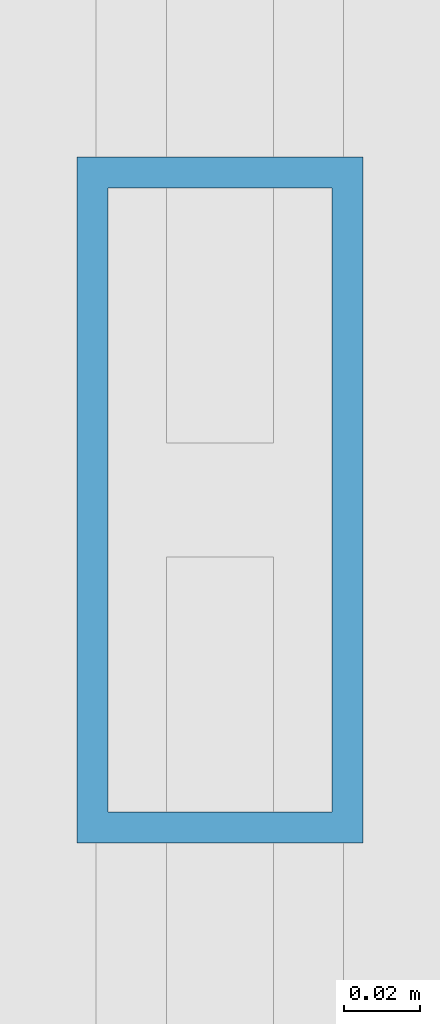
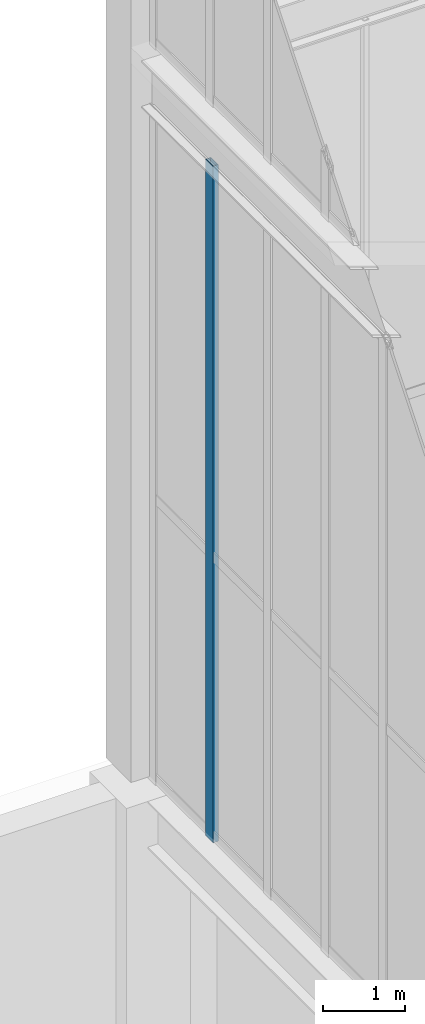
# One storey, part 103 of 135: 1 member, 1 element without a shape of its own.
"""IFC4 building model written with IfcOpenShell, lengths in metres."""

from ifc_helpers import new_model, si_unit, direction, frame, origin, origin_2d, place, context, subcontext, project, spatial, hollow_rectangle, extrude, source, transform, mapped, material, layer, layer_set, material_profile, profile_set, type_object, element, aggregate, save


model = new_model("IFC4")

# Units and contexts
model_context = context("Model", 3, precision=1e-05, world=origin(), true_north=direction((0.0, 1.0)))
body_context = subcontext(model_context, "Body", "Model", "MODEL_VIEW")
ifc_project = project(units=[si_unit("LENGTHUNIT", "METRE"), si_unit("AREAUNIT", "SQUARE_METRE"), si_unit("VOLUMEUNIT", "CUBIC_METRE"), si_unit("PLANEANGLEUNIT", "RADIAN"), si_unit("MASSUNIT", "GRAM", prefix="KILO")], contexts=[model_context])

# Site, building, storey
site_placement = place(None, origin())
site = spatial("IfcSite", under=ifc_project, at=site_placement, CompositionType="ELEMENT")
building_placement = place(site_placement, origin())
building = spatial("IfcBuilding", under=site, at=building_placement, Name="Giltprow Tower", CompositionType="ELEMENT")
storey_placement = place(building_placement, frame((0.0, 0.0, 352.699951171875)))
storey = spatial("IfcBuildingStorey", under=building, at=storey_placement, Name="L92", CompositionType="ELEMENT", Elevation=352.699951171875)

# Curtain wall, member
ifc_material = material(Name="Anodized bronze", Category="metal")
ifc_layer = layer(ifc_material, 0.179931640625, Name="Anodized bronze")
ifc_layer_set = layer_set([ifc_layer], Name="Anodized bronze")
curtain_wall_type = type_object("IfcCurtainWallType", Name="CW-CROWN-LANTERN", PredefinedType="NOTDEFINED", material=ifc_layer_set)
curtain_wall_placement = place(storey_placement, origin())
curtain_wall = element("IfcCurtainWall", 1, at=curtain_wall_placement, inside=storey, type_object=curtain_wall_type, Name="Crown East Lower Lantern Glazing 5", PredefinedType="NOTDEFINED")
ifc_material_profile = material_profile(ifc_material, hollow_rectangle(XDim=0.074951171875, YDim=0.179931640625, WallThickness=0.008056640625, at=origin_2d()), Name="RHS 180x75x8")
ifc_profile_set = profile_set([ifc_material_profile], Name="Anodized bronze")
member_type = type_object("IfcMemberType", Name="CW-MULLION-180x75", PredefinedType="MULLION", material=ifc_profile_set)
shared_shape = source(origin(), body_context, "Body", "SweptSolid", [
    extrude(hollow_rectangle(XDim=0.074951171875, YDim=0.179931640625, WallThickness=0.008056640625, at=origin_2d()), origin(), (0.0, 0.0, 1.0), 10.030029296875),
])
member_placement = place(storey_placement, frame((44.300048828125, 44.800048828125, 6.35009765625), z_axis=(0.0, 0.0, 1.0), x_axis=(1.0, 0.0, 0.0)))
member = element("IfcMember", 2, at=member_placement, type_object=member_type, Name="Crown East Lower Lantern Glazing 5 Mullion 2", PredefinedType="MULLION", context=body_context, shape_type="MappedRepresentation", body=[
    mapped(shared_shape, transform((0.0, 0.0, 0.0), x_axis=(1.0, 0.0, 0.0), y_axis=(0.0, 1.0, 0.0), z_axis=(0.0, 0.0, 1.0), scale=1.0)),
])
aggregate(curtain_wall, [member])

save(model, "model.ifc")
